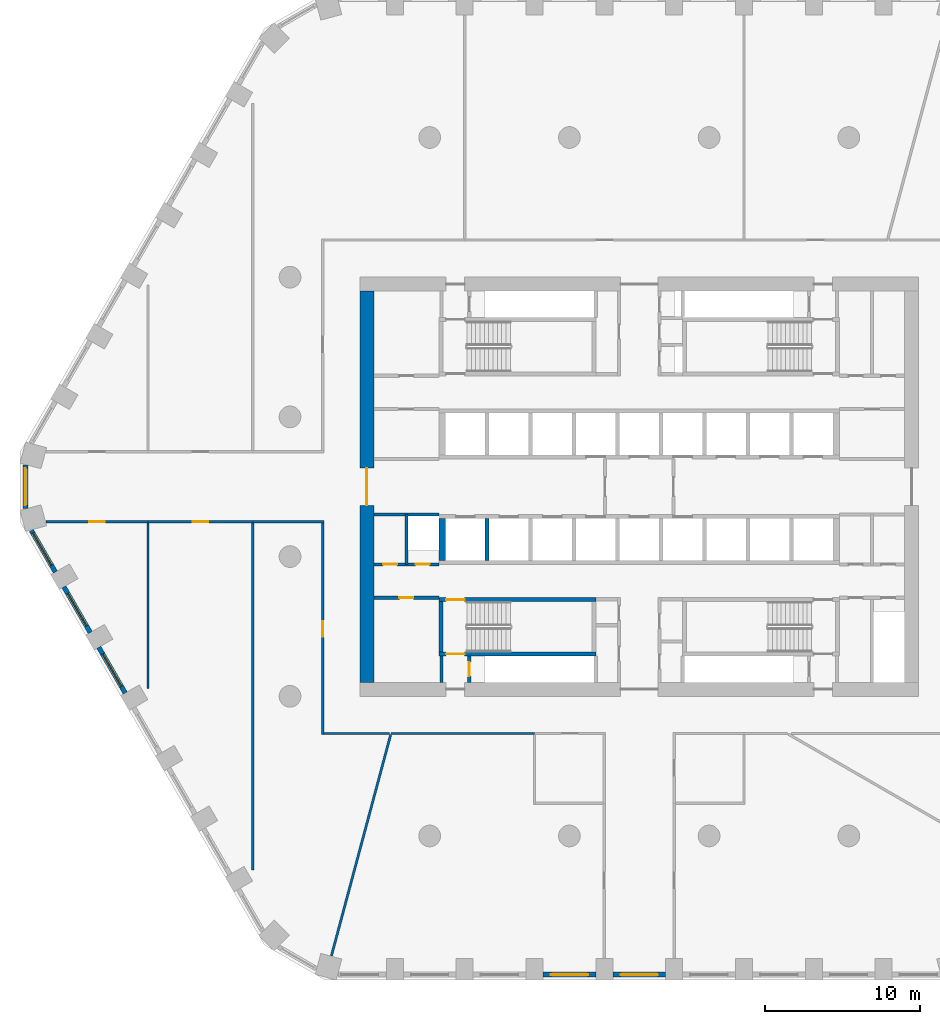
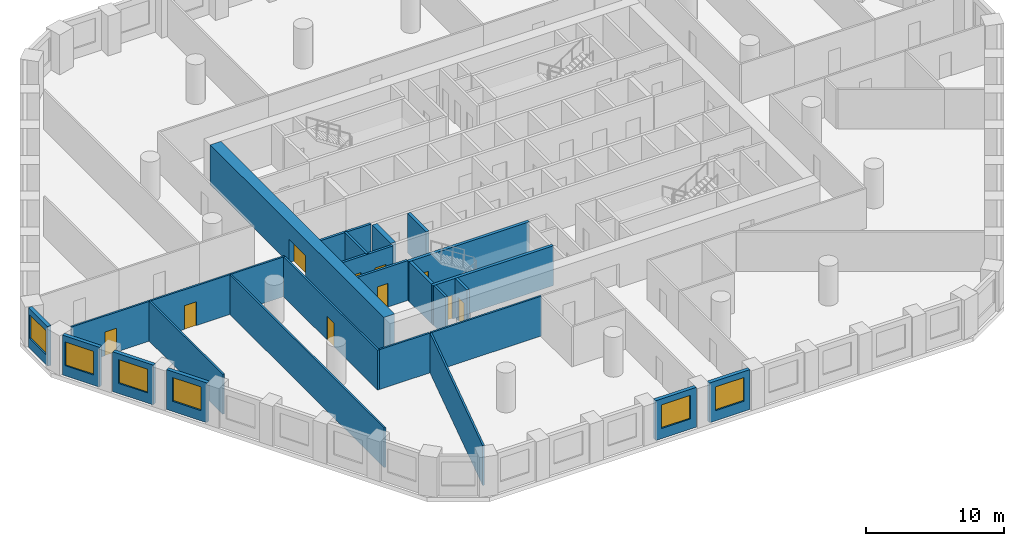
# One storey, part 2 of 10: 27 walls, 10 doors, 6 windows, 16 openings.
"""IFC4 building model written with IfcOpenShell, lengths in metres."""

from ifc_helpers import new_model, si_unit, direction, frame, frame_2d, origin, place, context, subcontext, project, spatial, polyline, rectangle, outline, extrude, material, layer, layer_set, type_object, element, fill, save


model = new_model("IFC4")

# Units and contexts
model_context = context("Model", 3, precision=1e-05, world=origin(), true_north=direction((0.0, 1.0)))
body_context = subcontext(model_context, "Body", "Model", "MODEL_VIEW")
ifc_project = project(units=[si_unit("LENGTHUNIT", "METRE"), si_unit("AREAUNIT", "SQUARE_METRE"), si_unit("VOLUMEUNIT", "CUBIC_METRE"), si_unit("PLANEANGLEUNIT", "RADIAN"), si_unit("MASSUNIT", "GRAM", prefix="KILO")], contexts=[model_context])

# Site, building, storey
site_placement = place(None, origin())
site = spatial("IfcSite", under=ifc_project, at=site_placement, CompositionType="ELEMENT")
building_placement = place(site_placement, origin())
building = spatial("IfcBuilding", under=site, at=building_placement, Name="Dhurran Vertical Campus", CompositionType="ELEMENT")
storey_placement = place(building_placement, frame((0.0, 0.0, 69.0)))
storey = spatial("IfcBuildingStorey", under=building, at=storey_placement, Name="L16", CompositionType="ELEMENT", Elevation=69.0)

# Wall, opening, window
ifc_material_1 = material(Name="Precast concrete C50/60", Category="concrete")
ifc_layer_1 = layer(ifc_material_1, 0.300048828125)
ifc_layer_set_1 = layer_set([ifc_layer_1], Name="Precast concrete C50/60")
wall_type_1 = type_object("IfcWallType", Name="Precast spandrel wall 300", PredefinedType="SOLIDWALL", material=ifc_layer_set_1)
wall_1_placement = place(storey_placement, frame((-6.199462890625, -31.4296875, 0.0), z_axis=(0.0, 0.0, 1.0), x_axis=(1.0, 0.0, 0.0)))
wall_1 = element("IfcWall", 1, at=wall_1_placement, inside=storey, type_object=wall_type_1, Name="EW1 L16.03", PredefinedType="SOLIDWALL", context=body_context, shape_type="SweptSolid", body=[
    extrude(rectangle(XDim=3.39892578125, YDim=0.300048828125, at=frame_2d((1.699462890625, 0.0))), origin(), (0.0, 0.0, 1.0), 3.52490234375),
])
opening_1_placement = place(wall_1_placement, frame((0.49951171875, 0.0, 0.89990234375)))
opening_1 = element("IfcOpeningElement", 2, at=opening_1_placement, cuts=wall_1, Name="Opening WT1", PredefinedType="OPENING", context=body_context, shape_type="SweptSolid", body=[
    extrude(rectangle(XDim=2.39990234375, YDim=2.10009765625, at=frame_2d((1.199951171875, 1.050048828125))), frame((0.0, 0.159912109375, 0.0), z_axis=(0.0, -1.0, 0.0), x_axis=(1.0, 0.0, 0.0)), (0.0, 0.0, 1.0), 0.320068359375),
])
ifc_material_2 = material(Name="Aluminium frame with solar-control glass", Category="aluminium")
window_type = type_object("IfcWindowType", Name="Punched window 2400 x 2100", PartitioningType="SINGLE_PANEL", PredefinedType="WINDOW", material=ifc_material_2)
window_1_placement = place(opening_1_placement, origin())
window_1 = element("IfcWindow", 3, at=window_1_placement, inside=storey, type_object=window_type, Name="WT1 L16.03", OverallHeight=2.10009765625, OverallWidth=2.39990234375, PartitioningType="SINGLE_PANEL", PredefinedType="WINDOW", context=body_context, shape_type="SweptSolid", body=[
    extrude(rectangle(XDim=2.39990234375, YDim=2.10009765625, at=frame_2d((1.199951171875, 1.050048828125))), frame((0.0, 0.030029296875, 0.0), z_axis=(0.0, -1.0, 0.0), x_axis=(1.0, 0.0, 0.0)), (0.0, 0.0, 1.0), 0.06005859375),
])
fill(opening_1, window_1)

wall_2_placement = place(storey_placement, frame((-1.699462890625, -31.4296875, 0.0), z_axis=(0.0, 0.0, 1.0), x_axis=(1.0, 0.0, 0.0)))
wall_2 = element("IfcWall", 4, at=wall_2_placement, inside=storey, type_object=wall_type_1, Name="EW1 L16.04", PredefinedType="SOLIDWALL", context=body_context, shape_type="SweptSolid", body=[
    extrude(rectangle(XDim=3.39892578125, YDim=0.300048828125, at=frame_2d((1.699462890625, 0.0))), origin(), (0.0, 0.0, 1.0), 3.52490234375),
])
opening_2_placement = place(wall_2_placement, frame((0.49951171875, 0.0, 0.89990234375)))
opening_2 = element("IfcOpeningElement", 5, at=opening_2_placement, cuts=wall_2, Name="Opening WT1", PredefinedType="OPENING", context=body_context, shape_type="SweptSolid", body=[
    extrude(rectangle(XDim=2.39990234375, YDim=2.10009765625, at=frame_2d((1.199951171875, 1.050048828125))), frame((0.0, 0.159912109375, 0.0), z_axis=(0.0, -1.0, 0.0), x_axis=(1.0, 0.0, 0.0)), (0.0, 0.0, 1.0), 0.320068359375),
])
window_2_placement = place(opening_2_placement, origin())
window_2 = element("IfcWindow", 6, at=window_2_placement, inside=storey, type_object=window_type, Name="WT1 L16.04", OverallHeight=2.10009765625, OverallWidth=2.39990234375, PartitioningType="SINGLE_PANEL", PredefinedType="WINDOW", context=body_context, shape_type="SweptSolid", body=[
    extrude(rectangle(XDim=2.39990234375, YDim=2.10009765625, at=frame_2d((1.199951171875, 1.050048828125))), frame((0.0, 0.030029296875, 0.0), z_axis=(0.0, -1.0, 0.0), x_axis=(1.0, 0.0, 0.0)), (0.0, 0.0, 1.0), 0.06005859375),
])
fill(opening_2, window_2)

wall_3_placement = place(storey_placement, frame((-39.547119140625, 1.39111328125, 0.0), z_axis=(0.0, 0.0, 1.0), x_axis=(0.0, -1.0, 0.0)))
wall_3 = element("IfcWall", 7, at=wall_3_placement, inside=storey, type_object=wall_type_1, Name="EW1 L16.43", PredefinedType="SOLIDWALL", context=body_context, shape_type="SweptSolid", body=[
    extrude(rectangle(XDim=2.7822265625, YDim=0.300048828125, at=frame_2d((1.39111328125, 0.0))), origin(), (0.0, 0.0, 1.0), 3.52490234375),
])
opening_3_placement = place(wall_3_placement, frame((0.191162109375, 0.0, 0.89990234375)))
opening_3 = element("IfcOpeningElement", 8, at=opening_3_placement, cuts=wall_3, Name="Opening WT1", PredefinedType="OPENING", context=body_context, shape_type="SweptSolid", body=[
    extrude(rectangle(XDim=2.39990234375, YDim=2.10009765625, at=frame_2d((1.199951171875, 1.050048828125))), frame((0.0, 0.159912109375, 0.0), z_axis=(0.0, -1.0, 0.0), x_axis=(1.0, 0.0, 0.0)), (0.0, 0.0, 1.0), 0.320068359375),
])
window_3_placement = place(opening_3_placement, origin())
window_3 = element("IfcWindow", 9, at=window_3_placement, inside=storey, type_object=window_type, Name="WT1 L16.43", OverallHeight=2.10009765625, OverallWidth=2.39990234375, PartitioningType="SINGLE_PANEL", PredefinedType="WINDOW", context=body_context, shape_type="SweptSolid", body=[
    extrude(rectangle(XDim=2.39990234375, YDim=2.10009765625, at=frame_2d((1.199951171875, 1.050048828125))), frame((0.0, 0.030029296875, 0.0), z_axis=(0.0, -1.0, 0.0), x_axis=(1.0, 0.0, 0.0)), (0.0, 0.0, 1.0), 0.06005859375),
])
fill(opening_3, window_3)

wall_4_placement = place(storey_placement, frame((-39.16455078125, -2.81884765625, 0.0), z_axis=(0.0, 0.0, 1.0), x_axis=(0.49997090907, -0.866042198789, 0.0)))
wall_4 = element("IfcWall", 10, at=wall_4_placement, inside=storey, type_object=wall_type_1, Name="EW1 L16.44", PredefinedType="SOLIDWALL", context=body_context, shape_type="SweptSolid", body=[
    extrude(rectangle(XDim=3.090576171875, YDim=0.300048828125, at=frame_2d((1.54541015625, 0.0))), origin(), (0.0, 0.0, 1.0), 3.52490234375),
])
opening_4_placement = place(wall_4_placement, frame((0.19091796875, 0.0, 0.89990234375)))
opening_4 = element("IfcOpeningElement", 11, at=opening_4_placement, cuts=wall_4, Name="Opening WT1", PredefinedType="OPENING", context=body_context, shape_type="SweptSolid", body=[
    extrude(rectangle(XDim=2.39990234375, YDim=2.10009765625, at=frame_2d((1.199951171875, 1.050048828125))), frame((0.0, 0.159912109375, 0.0), z_axis=(0.0, -1.0, 0.0), x_axis=(1.0, 0.0, 0.0)), (0.0, 0.0, 1.0), 0.320068359375),
])
window_4_placement = place(opening_4_placement, origin())
window_4 = element("IfcWindow", 12, at=window_4_placement, inside=storey, type_object=window_type, Name="WT1 L16.44", OverallHeight=2.10009765625, OverallWidth=2.39990234375, PartitioningType="SINGLE_PANEL", PredefinedType="WINDOW", context=body_context, shape_type="SweptSolid", body=[
    extrude(rectangle(XDim=2.39990234375, YDim=2.10009765625, at=frame_2d((1.199951171875, 1.050048828125))), frame((0.0, 0.030029296875, 0.0), z_axis=(0.0, -1.0, 0.0), x_axis=(1.0, 0.0, 0.0)), (0.0, 0.0, 1.0), 0.06005859375),
])
fill(opening_4, window_4)

wall_5_placement = place(storey_placement, frame((-37.06884765625, -6.448974609375, 0.0), z_axis=(0.0, 0.0, 1.0), x_axis=(0.499993955907, -0.866028893315, 0.0)))
wall_5 = element("IfcWall", 13, at=wall_5_placement, inside=storey, type_object=wall_type_1, Name="EW1 L16.45", PredefinedType="SOLIDWALL", context=body_context, shape_type="SweptSolid", body=[
    extrude(rectangle(XDim=3.39892578125, YDim=0.300048828125, at=frame_2d((1.699462890625, 0.0))), origin(), (0.0, 0.0, 1.0), 3.52490234375),
])
opening_5_placement = place(wall_5_placement, frame((0.49951171875, 0.0, 0.89990234375)))
opening_5 = element("IfcOpeningElement", 14, at=opening_5_placement, cuts=wall_5, Name="Opening WT1", PredefinedType="OPENING", context=body_context, shape_type="SweptSolid", body=[
    extrude(rectangle(XDim=2.39990234375, YDim=2.10009765625, at=frame_2d((1.199951171875, 1.050048828125))), frame((0.0, 0.159912109375, 0.0), z_axis=(0.0, -1.0, 0.0), x_axis=(1.0, 0.0, 0.0)), (0.0, 0.0, 1.0), 0.320068359375),
])
window_5_placement = place(opening_5_placement, origin())
window_5 = element("IfcWindow", 15, at=window_5_placement, inside=storey, type_object=window_type, Name="WT1 L16.45", OverallHeight=2.10009765625, OverallWidth=2.39990234375, PartitioningType="SINGLE_PANEL", PredefinedType="WINDOW", context=body_context, shape_type="SweptSolid", body=[
    extrude(rectangle(XDim=2.39990234375, YDim=2.10009765625, at=frame_2d((1.199951171875, 1.050048828125))), frame((0.0, 0.030029296875, 0.0), z_axis=(0.0, -1.0, 0.0), x_axis=(1.0, 0.0, 0.0)), (0.0, 0.0, 1.0), 0.06005859375),
])
fill(opening_5, window_5)

wall_6_placement = place(storey_placement, frame((-34.81884765625, -10.345947265625, 0.0), z_axis=(0.0, 0.0, 1.0), x_axis=(0.499993955907, -0.866028893315, 0.0)))
wall_6 = element("IfcWall", 16, at=wall_6_placement, inside=storey, type_object=wall_type_1, Name="EW1 L16.46", PredefinedType="SOLIDWALL", context=body_context, shape_type="SweptSolid", body=[
    extrude(rectangle(XDim=3.39892578125, YDim=0.300048828125, at=frame_2d((1.699462890625, 0.0))), origin(), (0.0, 0.0, 1.0), 3.52490234375),
])
opening_6_placement = place(wall_6_placement, frame((0.49951171875, 0.0, 0.89990234375)))
opening_6 = element("IfcOpeningElement", 17, at=opening_6_placement, cuts=wall_6, Name="Opening WT1", PredefinedType="OPENING", context=body_context, shape_type="SweptSolid", body=[
    extrude(rectangle(XDim=2.39990234375, YDim=2.10009765625, at=frame_2d((1.199951171875, 1.050048828125))), frame((0.0, 0.159912109375, 0.0), z_axis=(0.0, -1.0, 0.0), x_axis=(1.0, 0.0, 0.0)), (0.0, 0.0, 1.0), 0.320068359375),
])
window_6_placement = place(opening_6_placement, origin())
window_6 = element("IfcWindow", 18, at=window_6_placement, inside=storey, type_object=window_type, Name="WT1 L16.46", OverallHeight=2.10009765625, OverallWidth=2.39990234375, PartitioningType="SINGLE_PANEL", PredefinedType="WINDOW", context=body_context, shape_type="SweptSolid", body=[
    extrude(rectangle(XDim=2.39990234375, YDim=2.10009765625, at=frame_2d((1.199951171875, 1.050048828125))), frame((0.0, 0.030029296875, 0.0), z_axis=(0.0, -1.0, 0.0), x_axis=(1.0, 0.0, 0.0)), (0.0, 0.0, 1.0), 0.06005859375),
])
fill(opening_6, window_6)

# Wall, opening, door
ifc_material_3 = material(Name="Concrete C60/75", Category="concrete")
ifc_layer_2 = layer(ifc_material_3, 0.89990234375)
ifc_layer_set_2 = layer_set([ifc_layer_2], Name="Concrete C60/75")
wall_type_2 = type_object("IfcWallType", Name="co-CORE-WALL-C0-900", PredefinedType="SHEAR", material=ifc_layer_set_2)
wall_7_placement = place(storey_placement, frame((-17.550048828125, -12.60009765625, 0.0), z_axis=(0.0, 0.0, 1.0), x_axis=(0.0, 1.0, 0.0)))
wall_7 = element("IfcWall", 19, at=wall_7_placement, inside=storey, type_object=wall_type_2, Name="Core wall W L16", PredefinedType="SHEAR", context=body_context, shape_type="SweptSolid", body=[
    extrude(rectangle(XDim=25.2001953125, YDim=0.89990234375, at=frame_2d((12.60009765625, 0.0))), origin(), (0.0, 0.0, 1.0), 3.52490234375),
])
opening_7_placement = place(wall_7_placement, frame((11.39990234375, 0.0, 0.0)))
opening_7 = element("IfcOpeningElement", 20, at=opening_7_placement, cuts=wall_7, Name="Opening CL1", PredefinedType="OPENING", context=body_context, shape_type="SweptSolid", body=[
    extrude(rectangle(XDim=2.39990234375, YDim=2.10009765625, at=frame_2d((1.199951171875, 1.050048828125))), frame((0.0, 0.4599609375, 0.0), z_axis=(0.0, -1.0, 0.0), x_axis=(1.0, 0.0, 0.0)), (0.0, 0.0, 1.0), 0.919921875),
])
ifc_material_4 = material(Name="Fire-rated glazed door set")
door_type_1 = type_object("IfcDoorType", Name="co-D-LOBBY 2400x2100", OperationType="DOUBLE_DOOR_DOUBLE_SWING", PredefinedType="DOOR", material=ifc_material_4)
door_1_placement = place(opening_7_placement, origin())
door_1 = element("IfcDoor", 21, at=door_1_placement, inside=storey, type_object=door_type_1, Name="Lift lobby door W L16", OperationType="DOUBLE_DOOR_DOUBLE_SWING", OverallHeight=2.10009765625, OverallWidth=2.39990234375, PredefinedType="DOOR", context=body_context, shape_type="SweptSolid", body=[
    extrude(rectangle(XDim=2.39990234375, YDim=2.10009765625, at=frame_2d((1.199951171875, 1.050048828125))), frame((0.0, 0.02490234375, 0.0), z_axis=(0.0, -1.0, 0.0), x_axis=(1.0, 0.0, 0.0)), (0.0, 0.0, 1.0), 0.050048828125),
])
fill(opening_7, door_1)

# Wall
ifc_material_5 = material(Name="Fire-rated masonry blockwork", Category="masonry")
ifc_layer_3 = layer(ifc_material_5, 0.199951171875)
ifc_layer_set_3 = layer_set([ifc_layer_3], Name="Fire-rated masonry blockwork")
wall_type_3 = type_object("IfcWallType", Name="co-FIRE-PARTITION-200", PredefinedType="PARTITIONING", material=ifc_layer_set_3)
wall_8_placement = place(storey_placement, frame((-12.75, -12.60009765625, 0.0), z_axis=(0.0, 0.0, 1.0), x_axis=(0.0, 1.0, 0.0)))
element("IfcWall", 22, at=wall_8_placement, inside=storey, type_object=wall_type_3, Name="Core partition pass-ST3-o L16", PredefinedType="PARTITIONING", context=body_context, shape_type="SweptSolid", body=[
    extrude(rectangle(XDim=1.7001953125, YDim=0.199951171875, at=frame_2d((0.85009765625, 0.0))), origin(), (0.0, 0.0, 1.0), 3.52490234375),
])

# Wall, opening, door
wall_9_placement = place(storey_placement, frame((-10.949951171875, -12.60009765625, 0.0), z_axis=(0.0, 0.0, 1.0), x_axis=(0.0, 1.0, 0.0)))
wall_9 = element("IfcWall", 23, at=wall_9_placement, inside=storey, type_object=wall_type_3, Name="Core partition pass-ST3-i L16", PredefinedType="PARTITIONING", context=body_context, shape_type="SweptSolid", body=[
    extrude(rectangle(XDim=1.7001953125, YDim=0.199951171875, at=frame_2d((0.85009765625, 0.0))), origin(), (0.0, 0.0, 1.0), 3.52490234375),
])
opening_8_placement = place(wall_9_placement, frame((0.39990234375, 0.0, 0.0)))
opening_8 = element("IfcOpeningElement", 24, at=opening_8_placement, cuts=wall_9, Name="Opening T04-C11", PredefinedType="OPENING", context=body_context, shape_type="SweptSolid", body=[
    extrude(rectangle(XDim=0.89990234375, YDim=2.10009765625, at=frame_2d((0.449951171875, 1.050048828125))), frame((0.0, 0.10986328125, 0.0), z_axis=(0.0, -1.0, 0.0), x_axis=(1.0, 0.0, 0.0)), (0.0, 0.0, 1.0), 0.219970703125),
])
ifc_material_6 = material(Name="Fire-rated timber door set", Category="wood")
door_type_2 = type_object("IfcDoorType", Name="co-D-ROOM 900x2100", OperationType="SINGLE_SWING_LEFT", PredefinedType="DOOR", material=ifc_material_6)
door_2_placement = place(opening_8_placement, origin())
door_2 = element("IfcDoor", 25, at=door_2_placement, inside=storey, type_object=door_type_2, Name="Riser room door L16", OperationType="SINGLE_SWING_LEFT", OverallHeight=2.10009765625, OverallWidth=0.89990234375, PredefinedType="DOOR", context=body_context, shape_type="SweptSolid", body=[
    extrude(rectangle(XDim=0.89990234375, YDim=2.10009765625, at=frame_2d((0.449951171875, 1.050048828125))), frame((0.0, 0.02490234375, 0.0), z_axis=(0.0, -1.0, 0.0), x_axis=(1.0, 0.0, 0.0)), (0.0, 0.0, 1.0), 0.050048828125),
])
fill(opening_8, door_2)

wall_10_placement = place(storey_placement, frame((-17.10009765625, -7.14990234375, 0.0), z_axis=(0.0, 0.0, 1.0), x_axis=(1.0, 0.0, 0.0)))
wall_10 = element("IfcWall", 26, at=wall_10_placement, inside=storey, type_object=wall_type_3, Name="Core partition en-SW-w L16", PredefinedType="PARTITIONING", context=body_context, shape_type="SweptSolid", body=[
    extrude(rectangle(XDim=4.2001953125, YDim=0.199951171875, at=frame_2d((2.10009765625, 0.0))), origin(), (0.0, 0.0, 1.0), 3.52490234375),
])
opening_9_placement = place(wall_10_placement, frame((1.64990234375, 0.0, 0.0)))
opening_9 = element("IfcOpeningElement", 27, at=opening_9_placement, cuts=wall_10, Name="Opening T04-C18", PredefinedType="OPENING", context=body_context, shape_type="SweptSolid", body=[
    extrude(rectangle(XDim=0.89990234375, YDim=2.10009765625, at=frame_2d((0.449951171875, 1.050048828125))), frame((0.0, 0.10986328125, 0.0), z_axis=(0.0, -1.0, 0.0), x_axis=(1.0, 0.0, 0.0)), (0.0, 0.0, 1.0), 0.219970703125),
])
door_3_placement = place(opening_9_placement, origin())
door_3 = element("IfcDoor", 28, at=door_3_placement, inside=storey, type_object=door_type_2, Name="Cleaner's store door L16", OperationType="SINGLE_SWING_LEFT", OverallHeight=2.10009765625, OverallWidth=0.89990234375, PredefinedType="DOOR", context=body_context, shape_type="SweptSolid", body=[
    extrude(rectangle(XDim=0.89990234375, YDim=2.10009765625, at=frame_2d((0.449951171875, 1.050048828125))), frame((0.0, 0.02490234375, 0.0), z_axis=(0.0, -1.0, 0.0), x_axis=(1.0, 0.0, 0.0)), (0.0, 0.0, 1.0), 0.050048828125),
])
fill(opening_9, door_3)

# Wall
wall_11_placement = place(storey_placement, frame((-15.0, -5.0, 0.0), z_axis=(0.0, 0.0, 1.0), x_axis=(0.0, 1.0, 0.0)))
element("IfcWall", 29, at=wall_11_placement, inside=storey, type_object=wall_type_3, Name="Core partition es-SW-cut0 L16", PredefinedType="PARTITIONING", context=body_context, shape_type="SweptSolid", body=[
    extrude(rectangle(XDim=3.199951171875, YDim=0.199951171875, at=frame_2d((1.60009765625, 0.0))), origin(), (0.0, 0.0, 1.0), 3.52490234375),
])

# Wall, openings, doors
wall_12_placement = place(storey_placement, frame((-17.10009765625, -5.0, 0.0), z_axis=(0.0, 0.0, 1.0), x_axis=(1.0, 0.0, 0.0)))
wall_12 = element("IfcWall", 30, at=wall_12_placement, inside=storey, type_object=wall_type_3, Name="Core partition es-SW-w L16", PredefinedType="PARTITIONING", context=body_context, shape_type="SweptSolid", body=[
    extrude(rectangle(XDim=4.2001953125, YDim=0.199951171875, at=frame_2d((2.10009765625, 0.0))), origin(), (0.0, 0.0, 1.0), 3.52490234375),
])
opening_10_placement = place(wall_12_placement, frame((0.60009765625, 0.0, 0.0)))
opening_10 = element("IfcOpeningElement", 31, at=opening_10_placement, cuts=wall_12, Name="Opening T04-C19", PredefinedType="OPENING", context=body_context, shape_type="SweptSolid", body=[
    extrude(rectangle(XDim=0.89990234375, YDim=2.10009765625, at=frame_2d((0.449951171875, 1.050048828125))), frame((0.0, 0.10986328125, 0.0), z_axis=(0.0, -1.0, 0.0), x_axis=(1.0, 0.0, 0.0)), (0.0, 0.0, 1.0), 0.219970703125),
])
opening_11_placement = place(wall_12_placement, frame((2.699951171875, 0.0, 0.0)))
opening_11 = element("IfcOpeningElement", 32, at=opening_11_placement, cuts=wall_12, Name="Opening T04-C20", PredefinedType="OPENING", context=body_context, shape_type="SweptSolid", body=[
    extrude(rectangle(XDim=0.89990234375, YDim=2.10009765625, at=frame_2d((0.449951171875, 1.050048828125))), frame((0.0, 0.10986328125, 0.0), z_axis=(0.0, -1.0, 0.0), x_axis=(1.0, 0.0, 0.0)), (0.0, 0.0, 1.0), 0.219970703125),
])
door_4_placement = place(opening_10_placement, origin())
door_4 = element("IfcDoor", 33, at=door_4_placement, inside=storey, type_object=door_type_2, Name="Pantry door L16", OperationType="SINGLE_SWING_LEFT", OverallHeight=2.10009765625, OverallWidth=0.89990234375, PredefinedType="DOOR", context=body_context, shape_type="SweptSolid", body=[
    extrude(rectangle(XDim=0.89990234375, YDim=2.10009765625, at=frame_2d((0.449951171875, 1.050048828125))), frame((0.0, 0.02490234375, 0.0), z_axis=(0.0, -1.0, 0.0), x_axis=(1.0, 0.0, 0.0)), (0.0, 0.0, 1.0), 0.050048828125),
])
fill(opening_10, door_4)
door_5_placement = place(opening_11_placement, origin())
door_5 = element("IfcDoor", 34, at=door_5_placement, inside=storey, type_object=door_type_2, Name="Water riser door L16", OperationType="SINGLE_SWING_LEFT", OverallHeight=2.10009765625, OverallWidth=0.89990234375, PredefinedType="DOOR", context=body_context, shape_type="SweptSolid", body=[
    extrude(rectangle(XDim=0.89990234375, YDim=2.10009765625, at=frame_2d((0.449951171875, 1.050048828125))), frame((0.0, 0.02490234375, 0.0), z_axis=(0.0, -1.0, 0.0), x_axis=(1.0, 0.0, 0.0)), (0.0, 0.0, 1.0), 0.050048828125),
])
fill(opening_11, door_5)

# Walls
wall_13_placement = place(storey_placement, frame((-17.10009765625, -1.800048828125, 0.0), z_axis=(0.0, 0.0, 1.0), x_axis=(1.0, 0.0, 0.0)))
element("IfcWall", 35, at=wall_13_placement, inside=storey, type_object=wall_type_3, Name="Core partition es-SW-l L16", PredefinedType="PARTITIONING", context=body_context, shape_type="SweptSolid", body=[
    extrude(rectangle(XDim=4.2001953125, YDim=0.199951171875, at=frame_2d((2.10009765625, 0.0))), origin(), (0.0, 0.0, 1.0), 3.52490234375),
])
ifc_material_7 = material(Name="Concrete C50/60", Category="concrete")
ifc_layer_4 = layer(ifc_material_7, 0.25)
ifc_layer_set_4 = layer_set([ifc_layer_4], Name="Concrete C50/60")
wall_type_4 = type_object("IfcWallType", Name="co-SHAFT-MASS-250", PredefinedType="SHEAR", material=ifc_layer_set_4)
wall_14_placement = place(storey_placement, origin())
element("IfcWall", 36, at=wall_14_placement, inside=storey, type_object=wall_type_4, Name="Lift shaft wall S L16 2", PredefinedType="SHEAR", context=body_context, shape_type="SweptSolid", body=[
    extrude(outline(polyline([(-12.89990234375, -4.75), (-12.47509765625, -4.75), (-12.47509765625, -2.050048828125), (-12.89990234375, -2.050048828125), (-12.89990234375, -4.75)])), origin(), (0.0, 0.0, 1.0), 3.52490234375),
])
wall_15_placement = place(storey_placement, origin())
element("IfcWall", 37, at=wall_15_placement, inside=storey, type_object=wall_type_4, Name="Lift shaft wall S L16 3", PredefinedType="SHEAR", context=body_context, shape_type="SweptSolid", body=[
    extrude(outline(polyline([(-9.925048828125, -4.75), (-9.675048828125, -4.75), (-9.675048828125, -2.050048828125), (-9.925048828125, -2.050048828125), (-9.925048828125, -4.75)])), origin(), (0.0, 0.0, 1.0), 3.52490234375),
])

# Wall, opening, door
ifc_material_8 = material(Name="Concrete C40/50", Category="concrete")
ifc_layer_5 = layer(ifc_material_8, 0.25)
ifc_layer_set_5 = layer_set([ifc_layer_5], Name="Concrete C40/50")
wall_type_5 = type_object("IfcWallType", Name="co-STAIR-WALL-250", PredefinedType="SHEAR", material=ifc_layer_set_5)
wall_16_placement = place(storey_placement, frame((-12.89990234375, -10.77490234375, 0.0), z_axis=(0.0, 0.0, 1.0), x_axis=(1.0, 0.0, 0.0)))
wall_16 = element("IfcWall", 38, at=wall_16_placement, inside=storey, type_object=wall_type_5, Name="Stair ST3 enclosure wall L16", PredefinedType="SHEAR", context=body_context, shape_type="SweptSolid", body=[
    extrude(rectangle(XDim=10.099853515625, YDim=0.25, at=frame_2d((5.0498046875, 0.0))), origin(), (0.0, 0.0, 1.0), 3.52490234375),
])
opening_12_placement = place(wall_16_placement, frame((0.449951171875, 0.0, 0.0)))
opening_12 = element("IfcOpeningElement", 39, at=opening_12_placement, cuts=wall_16, Name="Opening XS3", PredefinedType="OPENING", context=body_context, shape_type="SweptSolid", body=[
    extrude(rectangle(XDim=1.199951171875, YDim=2.10009765625, at=frame_2d((0.60009765625, 1.050048828125))), frame((0.0, 0.135009765625, 0.0), z_axis=(0.0, -1.0, 0.0), x_axis=(1.0, 0.0, 0.0)), (0.0, 0.0, 1.0), 0.27001953125),
])
ifc_material_9 = material(Name="Fire-rated steel door set", Category="steel")
door_type_3 = type_object("IfcDoorType", Name="co-D-STAIR-EXIT 1200x2100", OperationType="SINGLE_SWING_RIGHT", PredefinedType="DOOR", material=ifc_material_9)
door_6_placement = place(opening_12_placement, origin())
door_6 = element("IfcDoor", 40, at=door_6_placement, inside=storey, type_object=door_type_3, Name="Stair ST3 discharge door L16", OperationType="SINGLE_SWING_RIGHT", OverallHeight=2.10009765625, OverallWidth=1.199951171875, PredefinedType="DOOR", context=body_context, shape_type="SweptSolid", body=[
    extrude(rectangle(XDim=1.199951171875, YDim=2.10009765625, at=frame_2d((0.60009765625, 1.050048828125))), frame((0.0, 0.02490234375, 0.0), z_axis=(0.0, -1.0, 0.0), x_axis=(1.0, 0.0, 0.0)), (0.0, 0.0, 1.0), 0.050048828125),
])
fill(opening_12, door_6)

wall_17_placement = place(storey_placement, frame((-12.89990234375, -7.27490234375, 0.0), z_axis=(0.0, 0.0, 1.0), x_axis=(1.0, 0.0, 0.0)))
wall_17 = element("IfcWall", 41, at=wall_17_placement, inside=storey, type_object=wall_type_5, Name="Stair ST3 enclosure wall L16", PredefinedType="SHEAR", context=body_context, shape_type="SweptSolid", body=[
    extrude(rectangle(XDim=10.099853515625, YDim=0.25, at=frame_2d((5.0498046875, 0.0))), origin(), (0.0, 0.0, 1.0), 3.52490234375),
])
opening_13_placement = place(wall_17_placement, frame((0.449951171875, 0.0, 0.0)))
opening_13 = element("IfcOpeningElement", 42, at=opening_13_placement, cuts=wall_17, Name="Opening SD3", PredefinedType="OPENING", context=body_context, shape_type="SweptSolid", body=[
    extrude(rectangle(XDim=1.199951171875, YDim=2.10009765625, at=frame_2d((0.60009765625, 1.050048828125))), frame((0.0, 0.135009765625, 0.0), z_axis=(0.0, -1.0, 0.0), x_axis=(1.0, 0.0, 0.0)), (0.0, 0.0, 1.0), 0.27001953125),
])
ifc_material_10 = material(Name="Fire-rated steel door set", Category="steel")
door_type_4 = type_object("IfcDoorType", Name="co-D-STAIR 1200x2100", OperationType="SINGLE_SWING_LEFT", PredefinedType="DOOR", material=ifc_material_10)
door_7_placement = place(opening_13_placement, origin())
door_7 = element("IfcDoor", 43, at=door_7_placement, inside=storey, type_object=door_type_4, Name="Stair ST3 door L16", OperationType="SINGLE_SWING_LEFT", OverallHeight=2.10009765625, OverallWidth=1.199951171875, PredefinedType="DOOR", context=body_context, shape_type="SweptSolid", body=[
    extrude(rectangle(XDim=1.199951171875, YDim=2.10009765625, at=frame_2d((0.60009765625, 1.050048828125))), frame((0.0, 0.02490234375, 0.0), z_axis=(0.0, -1.0, 0.0), x_axis=(1.0, 0.0, 0.0)), (0.0, 0.0, 1.0), 0.050048828125),
])
fill(opening_13, door_7)

# Wall
wall_18_placement = place(storey_placement, frame((-12.77490234375, -10.64990234375, 0.0), z_axis=(0.0, 0.0, 1.0), x_axis=(0.0, 1.0, 0.0)))
element("IfcWall", 44, at=wall_18_placement, inside=storey, type_object=wall_type_5, Name="Stair ST3 enclosure wall L16", PredefinedType="SHEAR", context=body_context, shape_type="SweptSolid", body=[
    extrude(rectangle(XDim=3.25, YDim=0.25, at=frame_2d((1.625, 0.0))), origin(), (0.0, 0.0, 1.0), 3.52490234375),
])

# Wall, opening, door
ifc_material_11 = material(Name="Gypsum board corridor wall on steel studs", Category="steel")
ifc_layer_6 = layer(ifc_material_11, 0.14990234375)
ifc_layer_set_6 = layer_set([ifc_layer_6], Name="Gypsum board corridor wall on steel studs")
wall_type_6 = type_object("IfcWallType", Name="fl-CW-150 corridor wall", PredefinedType="PARTITIONING", material=ifc_layer_set_6)
wall_19_placement = place(storey_placement, frame((-31.64990234375, -2.25, 0.0), z_axis=(0.0, 0.0, 1.0), x_axis=(-1.0, 0.0, 0.0)))
wall_19 = element("IfcWall", 45, at=wall_19_placement, inside=storey, type_object=wall_type_6, Name="Partition 16-01", PredefinedType="PARTITIONING", context=body_context, shape_type="SweptSolid", body=[
    extrude(rectangle(XDim=6.5830078125, YDim=0.14990234375, at=frame_2d((3.29150390625, 0.0))), origin(), (0.0, 0.0, 1.0), 3.52490234375),
])
opening_14_placement = place(wall_19_placement, frame((2.79150390625, 0.0, 0.0)))
opening_14 = element("IfcOpeningElement", 46, at=opening_14_placement, cuts=wall_19, Name="Opening T04.01", PredefinedType="OPENING", context=body_context, shape_type="SweptSolid", body=[
    extrude(rectangle(XDim=1.0, YDim=2.10009765625, at=frame_2d((0.5, 1.050048828125))), frame((0.0, 0.0849609375, 0.0), z_axis=(0.0, -1.0, 0.0), x_axis=(1.0, 0.0, 0.0)), (0.0, 0.0, 1.0), 0.169921875),
])
ifc_material_12 = material(Name="Solid-core timber door set, fire-rated", Category="wood")
door_type_5 = type_object("IfcDoorType", Name="fl-D-1000x2100", OperationType="SINGLE_SWING_LEFT", PredefinedType="DOOR", material=ifc_material_12)
door_8_placement = place(opening_14_placement, origin())
door_8 = element("IfcDoor", 47, at=door_8_placement, inside=storey, type_object=door_type_5, Name="Door 16.01", OperationType="SINGLE_SWING_LEFT", OverallHeight=2.10009765625, OverallWidth=1.0, PredefinedType="DOOR", context=body_context, shape_type="SweptSolid", body=[
    extrude(rectangle(XDim=1.0, YDim=2.10009765625, at=frame_2d((0.5, 1.050048828125))), frame((0.0, 0.02490234375, 0.0), z_axis=(0.0, -1.0, 0.0), x_axis=(1.0, 0.0, 0.0)), (0.0, 0.0, 1.0), 0.050048828125),
])
fill(opening_14, door_8)

wall_20_placement = place(storey_placement, frame((-24.89990234375, -2.25, 0.0), z_axis=(0.0, 0.0, 1.0), x_axis=(-1.0, 0.0, 0.0)))
wall_20 = element("IfcWall", 48, at=wall_20_placement, inside=storey, type_object=wall_type_6, Name="Partition 16-04", PredefinedType="PARTITIONING", context=body_context, shape_type="SweptSolid", body=[
    extrude(rectangle(XDim=6.75, YDim=0.14990234375, at=frame_2d((3.375, 0.0))), origin(), (0.0, 0.0, 1.0), 3.52490234375),
])
opening_15_placement = place(wall_20_placement, frame((2.875, 0.0, 0.0)))
opening_15 = element("IfcOpeningElement", 49, at=opening_15_placement, cuts=wall_20, Name="Opening T04.03", PredefinedType="OPENING", context=body_context, shape_type="SweptSolid", body=[
    extrude(rectangle(XDim=1.0, YDim=2.10009765625, at=frame_2d((0.5, 1.050048828125))), frame((0.0, 0.0849609375, 0.0), z_axis=(0.0, -1.0, 0.0), x_axis=(1.0, 0.0, 0.0)), (0.0, 0.0, 1.0), 0.169921875),
])
door_9_placement = place(opening_15_placement, origin())
door_9 = element("IfcDoor", 50, at=door_9_placement, inside=storey, type_object=door_type_5, Name="Door 16.03", OperationType="SINGLE_SWING_LEFT", OverallHeight=2.10009765625, OverallWidth=1.0, PredefinedType="DOOR", context=body_context, shape_type="SweptSolid", body=[
    extrude(rectangle(XDim=1.0, YDim=2.10009765625, at=frame_2d((0.5, 1.050048828125))), frame((0.0, 0.02490234375, 0.0), z_axis=(0.0, -1.0, 0.0), x_axis=(1.0, 0.0, 0.0)), (0.0, 0.0, 1.0), 0.050048828125),
])
fill(opening_15, door_9)

# Wall
wall_21_placement = place(storey_placement, frame((-20.324951171875, -2.25, 0.0), z_axis=(0.0, 0.0, 1.0), x_axis=(-1.0, 0.0, 0.0)))
element("IfcWall", 51, at=wall_21_placement, inside=storey, type_object=wall_type_6, Name="Partition 16-08", PredefinedType="PARTITIONING", context=body_context, shape_type="SweptSolid", body=[
    extrude(rectangle(XDim=4.574951171875, YDim=0.14990234375, at=frame_2d((2.28759765625, 0.0))), origin(), (0.0, 0.0, 1.0), 3.52490234375),
])

# Wall, opening, door
wall_22_placement = place(storey_placement, frame((-20.39990234375, -2.324951171875, 0.0), z_axis=(0.0, 0.0, 1.0), x_axis=(0.0, -1.0, 0.0)))
wall_22 = element("IfcWall", 52, at=wall_22_placement, inside=storey, type_object=wall_type_6, Name="Partition 16-11", PredefinedType="PARTITIONING", context=body_context, shape_type="SweptSolid", body=[
    extrude(rectangle(XDim=13.650146484375, YDim=0.14990234375, at=frame_2d((6.8251953125, 0.0))), origin(), (0.0, 0.0, 1.0), 3.52490234375),
])
opening_16_placement = place(wall_22_placement, frame((6.324951171875, 0.0, 0.0)))
opening_16 = element("IfcOpeningElement", 53, at=opening_16_placement, cuts=wall_22, Name="Opening T04.05", PredefinedType="OPENING", context=body_context, shape_type="SweptSolid", body=[
    extrude(rectangle(XDim=1.0, YDim=2.10009765625, at=frame_2d((0.5, 1.050048828125))), frame((0.0, 0.0849609375, 0.0), z_axis=(0.0, -1.0, 0.0), x_axis=(1.0, 0.0, 0.0)), (0.0, 0.0, 1.0), 0.169921875),
])
door_10_placement = place(opening_16_placement, origin())
door_10 = element("IfcDoor", 54, at=door_10_placement, inside=storey, type_object=door_type_5, Name="Door 16.05", OperationType="SINGLE_SWING_RIGHT", OverallHeight=2.10009765625, OverallWidth=1.0, PredefinedType="DOOR", context=body_context, shape_type="SweptSolid", body=[
    extrude(rectangle(XDim=1.0, YDim=2.10009765625, at=frame_2d((0.5, 1.050048828125))), frame((0.0, 0.02490234375, 0.0), z_axis=(0.0, -1.0, 0.0), x_axis=(1.0, 0.0, 0.0)), (0.0, 0.0, 1.0), 0.050048828125),
])
fill(opening_16, door_10)

# Walls
wall_23_placement = place(storey_placement, frame((-20.324951171875, -15.89990234375, 0.0), z_axis=(0.0, 0.0, 1.0), x_axis=(1.0, 0.0, 0.0)))
element("IfcWall", 55, at=wall_23_placement, inside=storey, type_object=wall_type_6, Name="Partition 16-12", PredefinedType="PARTITIONING", context=body_context, shape_type="SweptSolid", body=[
    extrude(rectangle(XDim=4.23486328125, YDim=0.14990234375, at=frame_2d((2.117431640625, 0.0))), origin(), (0.0, 0.0, 1.0), 3.52490234375),
])
wall_24_placement = place(storey_placement, frame((-15.9951171875, -15.89990234375, 0.0), z_axis=(0.0, 0.0, 1.0), x_axis=(1.0, 0.0, 0.0)))
element("IfcWall", 56, at=wall_24_placement, inside=storey, type_object=wall_type_6, Name="Partition 16-16", PredefinedType="PARTITIONING", context=body_context, shape_type="SweptSolid", body=[
    extrude(rectangle(XDim=9.2451171875, YDim=0.14990234375, at=frame_2d((4.62255859375, 0.0))), origin(), (0.0, 0.0, 1.0), 3.52490234375),
])
ifc_material_13 = material(Name="Gypsum board partition on steel studs", Category="steel")
ifc_layer_7 = layer(ifc_material_13, 0.14990234375)
ifc_layer_set_7 = layer_set([ifc_layer_7], Name="Gypsum board partition on steel studs")
wall_type_7 = type_object("IfcWallType", Name="fl-PW-150 fixed partition", PredefinedType="PARTITIONING", material=ifc_layer_set_7)
wall_25_placement = place(storey_placement, frame((-31.64990234375, -2.324951171875, 0.0), z_axis=(0.0, 0.0, 1.0), x_axis=(0.0, -1.0, 0.0)))
element("IfcWall", 57, at=wall_25_placement, inside=storey, type_object=wall_type_7, Name="Partition 16-03", PredefinedType="PARTITIONING", context=body_context, shape_type="SweptSolid", body=[
    extrude(rectangle(XDim=10.677001953125, YDim=0.14990234375, at=frame_2d((5.33837890625, 0.0))), origin(), (0.0, 0.0, 1.0), 3.52490234375),
])
wall_26_placement = place(storey_placement, frame((-24.89990234375, -2.324951171875, 0.0), z_axis=(0.0, 0.0, 1.0), x_axis=(0.0, -1.0, 0.0)))
element("IfcWall", 58, at=wall_26_placement, inside=storey, type_object=wall_type_7, Name="Partition 16-07", PredefinedType="PARTITIONING", context=body_context, shape_type="SweptSolid", body=[
    extrude(rectangle(XDim=22.3681640625, YDim=0.14990234375, at=frame_2d((11.18408203125, 0.0))), origin(), (0.0, 0.0, 1.0), 3.52490234375),
])
wall_27_placement = place(storey_placement, frame((-16.014404296875, -15.972412109375, 0.0), z_axis=(0.0, 0.0, 1.0), x_axis=(-0.258838346818, -0.965920654203, 0.0)))
element("IfcWall", 59, at=wall_27_placement, inside=storey, type_object=wall_type_7, Name="Partition 16-15", PredefinedType="PARTITIONING", context=body_context, shape_type="SweptSolid", body=[
    extrude(rectangle(XDim=14.757568359375, YDim=0.14990234375, at=frame_2d((7.37890625, 0.0))), origin(), (0.0, 0.0, 1.0), 3.52490234375),
])

save(model, "model.ifc")
